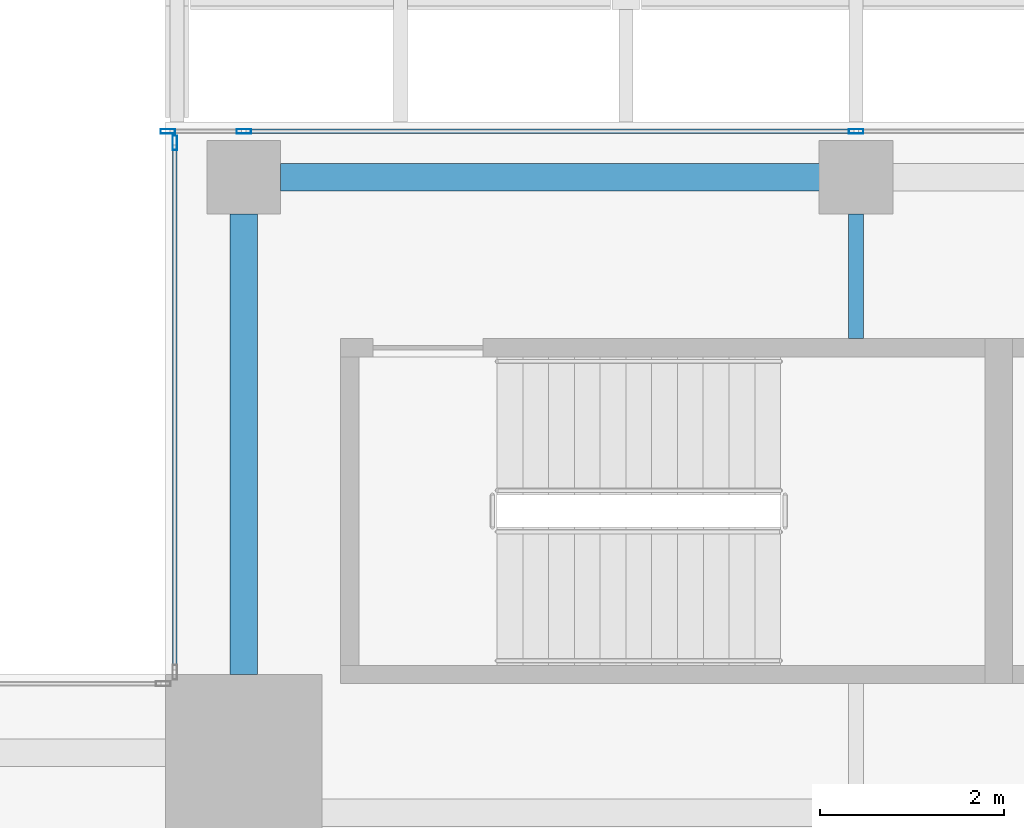
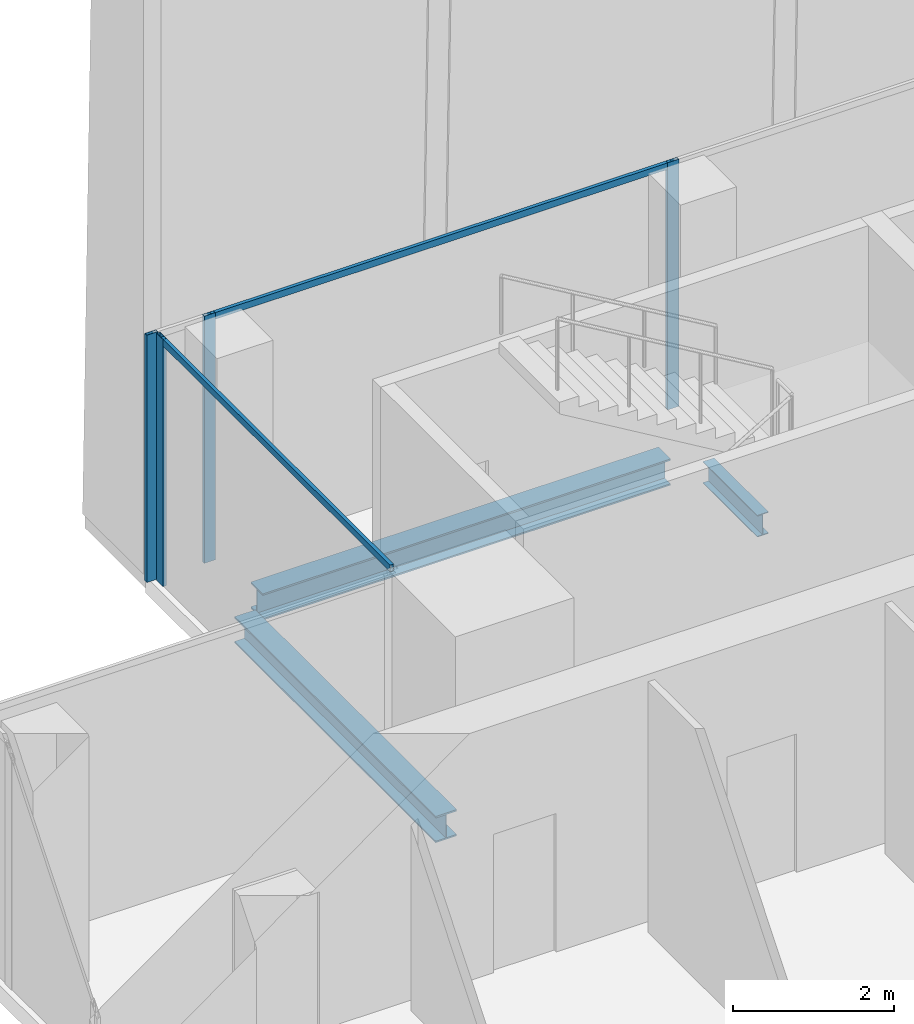
# One storey, part 14 of 32: 6 members, 3 beams, 2 elements without a shape of their own.
"""IFC4 building model written with IfcOpenShell, lengths in metres."""

import ifcopenshell
import ifcopenshell.guid

model = None  # the IFC model being written
_history = None  # IfcOwnerHistory: only IFC2X3 demands one
_inside = {}  # id of a spatial element -> (the spatial element, [elements in it])
_under = {}  # id of a project, library or spatial element -> (it, [spatial elements below it])
_declared = {}  # id of a project -> (the project, [libraries it declares])
_typed = {}  # id of a type object -> (the type object, [elements of that type])
_made_of = {}  # id of a material, layer set ... -> (it, [elements and type objects made of it])


def new_model(schema):
    """Start an empty IFC model of exactly this schema.

    Asked for "IFC4X3", IfcOpenShell would pick the latest addendum, in which some entities
    have other attributes; the version numbers below select the first issue.
    IFC2X3 requires an IfcOwnerHistory on every rooted entity: one is made here for all.
    """
    global model, _history
    if schema == "IFC4X3":
        model = ifcopenshell.file(schema_version=(4, 3, 0, 0))
    else:
        model = ifcopenshell.file(schema=schema)
    _inside.clear()
    _under.clear()
    _declared.clear()
    _typed.clear()
    _made_of.clear()
    _history = None
    if model.schema == "IFC2X3":
        org = make("IfcOrganization", Name="unknown")
        user = make(
            "IfcPersonAndOrganization",
            ThePerson=make("IfcPerson", FamilyName="unknown"),
            TheOrganization=org,
        )
        app = make(
            "IfcApplication",
            ApplicationDeveloper=org,
            Version="unknown",
            ApplicationFullName="unknown",
            ApplicationIdentifier="unknown",
        )
        _history = make(
            "IfcOwnerHistory",
            OwningUser=user,
            OwningApplication=app,
            ChangeAction="ADDED",
            CreationDate=0,
        )
    return model


def make(cls, **values):
    """One entity of the class cls with the attributes given. An attribute that is None is left unset."""
    return model.create_entity(
        cls, **{name: value for name, value in values.items() if value is not None}
    )


def rooted(cls, **values):
    """An entity with a GlobalId (a new one), such as an element, a storey or a relation."""
    return make(cls, GlobalId=ifcopenshell.guid.new(), OwnerHistory=_history, **values)


def si_unit(unit_type, name, prefix=None):
    """IfcSIUnit, for example si_unit("LENGTHUNIT", "METRE", prefix="MILLI")."""
    return make("IfcSIUnit", UnitType=unit_type, Prefix=prefix, Name=name)


def assignment(units):
    """IfcUnitAssignment: the units of a project."""
    return None if units is None else make("IfcUnitAssignment", Units=units)


def point(xyz):
    """IfcCartesianPoint."""
    return None if xyz is None else make("IfcCartesianPoint", Coordinates=xyz)


def direction(xyz):
    """IfcDirection."""
    return None if xyz is None else make("IfcDirection", DirectionRatios=xyz)


def frame(location, z_axis=None, x_axis=None):
    """IfcAxis2Placement3D, a coordinate frame: its origin and axes. An axis left out is left unset."""
    return make(
        "IfcAxis2Placement3D",
        Location=point(location),
        Axis=direction(z_axis),
        RefDirection=direction(x_axis),
    )


def frame_2d(location, x_axis=None):
    """IfcAxis2Placement2D, a coordinate frame in the plane: its origin and x axis."""
    return make(
        "IfcAxis2Placement2D", Location=point(location), RefDirection=direction(x_axis)
    )


def origin():
    """The frame at (0, 0, 0) with its axes left unset."""
    return frame((0.0, 0.0, 0.0))


def origin_2d():
    """The frame at (0, 0) in the plane with its x axis left unset."""
    return frame_2d((0.0, 0.0))


def place(relative_to, where):
    """IfcLocalPlacement: puts the frame where relative to a parent placement (None: the world)."""
    return make(
        "IfcLocalPlacement", PlacementRelTo=relative_to, RelativePlacement=where
    )


def context(
    kind, dimensions, precision=None, world=None, true_north=None, identifier=None
):
    """IfcGeometricRepresentationContext, for example the 3D "Model" context."""
    return make(
        "IfcGeometricRepresentationContext",
        ContextIdentifier=identifier,
        ContextType=kind,
        CoordinateSpaceDimension=dimensions,
        Precision=precision,
        WorldCoordinateSystem=world,
        TrueNorth=true_north,
    )


def subcontext(parent, identifier, kind, view, scale=None):
    """IfcGeometricRepresentationSubContext, for example "Body" below "Model"."""
    return make(
        "IfcGeometricRepresentationSubContext",
        ContextIdentifier=identifier,
        ContextType=kind,
        ParentContext=parent,
        TargetScale=scale,
        TargetView=view,
    )


def project(units=None, contexts=None):
    """IfcProject with its units and contexts."""
    return rooted(
        "IfcProject",
        Name="project",
        RepresentationContexts=contexts,
        UnitsInContext=assignment(units),
    )


def spatial(cls, under=None, at=None, **own):
    """A site, building, storey or space (cls), placed at a placement, below another one or the project."""
    s = rooted(cls, ObjectPlacement=at, **own)
    if under is not None:
        _under.setdefault(under.id(), (under, []))[1].append(s)
    return s


def profile(cls, at=None, kind="AREA", **sizes):
    """A parametric profile (cls). Its sizes go by their IFC names, for example OverallWidth=200.0."""
    return make(cls, ProfileType=kind, Position=at, **sizes)


def hollow_rectangle(**sizes):
    """IfcRectangleHollowProfileDef."""
    return profile("IfcRectangleHollowProfileDef", **sizes)


def i_section(**sizes):
    """IfcIShapeProfileDef."""
    return profile("IfcIShapeProfileDef", **sizes)


def extrude(swept, where, along, depth):
    """IfcExtrudedAreaSolid: the profile swept, set in the frame where, extruded along a direction by depth."""
    return make(
        "IfcExtrudedAreaSolid",
        SweptArea=swept,
        Position=where,
        ExtrudedDirection=direction(along),
        Depth=depth,
    )


def shape(context_of_items, identifier, shape_type, items):
    """IfcShapeRepresentation: the items that make up one representation, for example the "Body"."""
    return make(
        "IfcShapeRepresentation",
        ContextOfItems=context_of_items,
        RepresentationIdentifier=identifier,
        RepresentationType=shape_type,
        Items=items,
    )


def source(mapping_origin, context_of_items, identifier, shape_type, items):
    """IfcRepresentationMap: a shape defined once, which mapped items show again and again."""
    return make(
        "IfcRepresentationMap",
        MappingOrigin=mapping_origin,
        MappedRepresentation=shape(context_of_items, identifier, shape_type, items),
    )


def transform(
    local_origin,
    x_axis=None,
    y_axis=None,
    z_axis=None,
    scale=None,
    scale2=None,
    scale3=None,
    uniform=True,
):
    """IfcCartesianTransformationOperator3D, or its non-uniform kind. x_axis, y_axis, z_axis: its Axis1, 2, 3."""
    if uniform:
        return make(
            "IfcCartesianTransformationOperator3D",
            Axis1=direction(x_axis),
            Axis2=direction(y_axis),
            LocalOrigin=point(local_origin),
            Scale=scale,
            Axis3=direction(z_axis),
        )
    return make(
        "IfcCartesianTransformationOperator3DnonUniform",
        Axis1=direction(x_axis),
        Axis2=direction(y_axis),
        LocalOrigin=point(local_origin),
        Scale=scale,
        Axis3=direction(z_axis),
        Scale2=scale2,
        Scale3=scale3,
    )


def mapped(mapping_source, mapping_target):
    """IfcMappedItem: shows the shape of a source again, moved by a transform."""
    return make(
        "IfcMappedItem", MappingSource=mapping_source, MappingTarget=mapping_target
    )


def material(Name=None, Category=None):
    """IfcMaterial."""
    return make("IfcMaterial", Name=Name, Category=Category)


def material_profile(
    of_material, cross_section, Name=None, Category=None, Priority=None
):
    """IfcMaterialProfile: a cross section and its material."""
    return make(
        "IfcMaterialProfile",
        Name=Name,
        Material=of_material,
        Profile=cross_section,
        Priority=Priority,
        Category=Category,
    )


def profile_set(profiles, Name=None, composite=None):
    """IfcMaterialProfileSet."""
    return make(
        "IfcMaterialProfileSet",
        Name=Name,
        MaterialProfiles=profiles,
        CompositeProfile=composite,
    )


def made_of(thing, what):
    """Note that an element or type object is made of a material, layer set ...; save() writes the relation."""
    if what is not None:
        _made_of.setdefault(what.id(), (what, []))[1].append(thing)
    return thing


def type_object(cls, material=None, **own):
    """A type object (cls), such as IfcWallType, which elements share."""
    return made_of(rooted(cls, **own), material)


def element(
    cls,
    number,
    at=None,
    inside=None,
    cuts=None,
    type_object=None,
    material=None,
    context=None,
    identifier="Body",
    shape_type=None,
    held_by="IfcProductDefinitionShape",
    body=None,
    shapes=None,
    **own,
):
    """One element of the class cls, such as IfcWall. Its Tag is "e" and its number.

    at: its placement. inside: the storey or other place that contains it. cuts: it is an
    opening in that element (IfcRelVoidsElement). A single representation is given by context,
    identifier, shape_type and body (its items); several are given by shapes. held_by: the class
    of the entity that holds the representations. save() writes the other relations.
    """
    e = rooted(cls, Tag="e%d" % number, ObjectPlacement=at, **own)
    if body is not None:
        shapes = [shape(context, identifier, shape_type, body)]
    if shapes is not None:
        e.Representation = make(held_by, Representations=shapes)
    if inside is not None:
        _inside.setdefault(inside.id(), (inside, []))[1].append(e)
    if cuts is not None:
        rooted(
            "IfcRelVoidsElement", RelatingBuildingElement=cuts, RelatedOpeningElement=e
        )
    if type_object is not None:
        _typed.setdefault(type_object.id(), (type_object, []))[1].append(e)
    return made_of(e, material)


def aggregate(whole, parts):
    """IfcRelAggregates: a whole, such as a stair, and the parts it consists of."""
    return rooted("IfcRelAggregates", RelatingObject=whole, RelatedObjects=parts)


def save(model, path):
    """Write the relations noted so far, then the file.

    IfcRelAggregates (storeys below a building ...), IfcRelContainedInSpatialStructure (elements
    in a storey), IfcRelDefinesByType, IfcRelAssociatesMaterial and IfcRelDeclares: one each for
    every whole, place, type object, material and project.
    """
    for whole, parts in _under.values():
        aggregate(whole, parts)
    for where, things in _inside.values():
        rooted(
            "IfcRelContainedInSpatialStructure",
            RelatedElements=things,
            RelatingStructure=where,
        )
    for kind, things in _typed.values():
        rooted("IfcRelDefinesByType", RelatedObjects=things, RelatingType=kind)
    for what, things in _made_of.values():
        rooted("IfcRelAssociatesMaterial", RelatedObjects=things, RelatingMaterial=what)
    for by, libraries in _declared.values():
        rooted("IfcRelDeclares", RelatingContext=by, RelatedDefinitions=libraries)
    model.write(path)


model = new_model("IFC4")

# Units and contexts
model_context = context("Model", 3, precision=1e-05, world=origin(), true_north=direction((0.0, 1.0)))
body_context = subcontext(model_context, "Body", "Model", "MODEL_VIEW")
ifc_project = project(units=[si_unit("LENGTHUNIT", "METRE"), si_unit("AREAUNIT", "SQUARE_METRE"), si_unit("VOLUMEUNIT", "CUBIC_METRE"), si_unit("PLANEANGLEUNIT", "RADIAN"), si_unit("MASSUNIT", "GRAM", prefix="KILO")], contexts=[model_context])

# Site, building, storey
site_placement = place(None, origin())
site = spatial("IfcSite", under=ifc_project, at=site_placement, CompositionType="ELEMENT")
building_placement = place(site_placement, origin())
building = spatial("IfcBuilding", under=site, at=building_placement, Name="Khomas Fold Tower", CompositionType="ELEMENT")
storey_placement = place(building_placement, frame((0.0, 0.0, 318.199951171875)))
storey = spatial("IfcBuildingStorey", under=building, at=storey_placement, Name="L72", CompositionType="ELEMENT", Elevation=318.199951171875)

# Beams
ifc_material_1 = material(Name="Steel S355", Category="steel")
ifc_material_profile_1 = material_profile(ifc_material_1, i_section(OverallWidth=0.159912109375, OverallDepth=0.330078125, WebThickness=0.007568359375, FlangeThickness=0.011474609375, at=origin_2d()), Name="IPE 330")
ifc_profile_set_1 = profile_set([ifc_material_profile_1], Name="Steel S355")
beam_type_1 = type_object("IfcBeamType", Name="IPE 330 beam JB1", PredefinedType="BEAM", material=ifc_profile_set_1)
shared_shape_1 = source(origin(), body_context, "Body", "SweptSolid", [
    extrude(i_section(OverallWidth=0.159912109375, OverallDepth=0.330078125, WebThickness=0.007568359375, FlangeThickness=0.011474609375, at=origin_2d()), origin(), (0.0, 0.0, 1.0), 1.35009765625),
])
beam_1_placement = place(storey_placement, frame((19.5, 45.64990234375, -0.4150390625), z_axis=(0.0, 1.0, 0.0), x_axis=(-1.0, 0.0, 0.0)))
element("IfcBeam", 1, at=beam_1_placement, inside=storey, type_object=beam_type_1, Name="JB1", PredefinedType="BEAM", context=body_context, shape_type="MappedRepresentation", body=[
    mapped(shared_shape_1, transform((0.0, 0.0, 0.0))),
])
ifc_material_2 = material(Name="Steel S355", Category="steel")
ifc_material_profile_2 = material_profile(ifc_material_2, i_section(OverallWidth=0.300048828125, OverallDepth=0.39990234375, WebThickness=0.013427734375, FlangeThickness=0.02392578125, at=origin_2d()), Name="HE 400 B")
ifc_profile_set_2 = profile_set([ifc_material_profile_2], Name="Steel S355")
beam_type_2 = type_object("IfcBeamType", Name="HE 400 B spandrel SB5", PredefinedType="SPANDREL", material=ifc_profile_set_2)
shared_shape_2 = source(origin(), body_context, "Body", "SweptSolid", [
    extrude(i_section(OverallWidth=0.300048828125, OverallDepth=0.39990234375, WebThickness=0.013427734375, FlangeThickness=0.02392578125, at=origin_2d()), origin(), (0.0, 0.0, 1.0), 5.85009765625),
])
beam_2_placement = place(storey_placement, frame((13.25, 47.39990234375, -0.449951171875), z_axis=(1.0, 0.0, 0.0), x_axis=(0.0, 1.0, 0.0)))
element("IfcBeam", 2, at=beam_2_placement, inside=storey, type_object=beam_type_2, Name="SB5", PredefinedType="SPANDREL", context=body_context, shape_type="MappedRepresentation", body=[
    mapped(shared_shape_2, transform((0.0, 0.0, 0.0))),
])
shared_shape_3 = source(origin(), body_context, "Body", "SweptSolid", [
    extrude(i_section(OverallWidth=0.300048828125, OverallDepth=0.39990234375, WebThickness=0.013427734375, FlangeThickness=0.02392578125, at=origin_2d()), origin(), (0.0, 0.0, 1.0), 5.0),
])
beam_3_placement = place(storey_placement, frame((12.85009765625, 42.0, -0.449951171875), z_axis=(0.0, 1.0, 0.0), x_axis=(-1.0, 0.0, 0.0)))
element("IfcBeam", 3, at=beam_3_placement, inside=storey, type_object=beam_type_2, Name="SB5", PredefinedType="SPANDREL", context=body_context, shape_type="MappedRepresentation", body=[
    mapped(shared_shape_3, transform((0.0, 0.0, 0.0))),
])

# Curtain wall, members
ifc_material_3 = material(Name="Aluminium framed double glazing", Category="aluminium")
curtain_wall_type = type_object("IfcCurtainWallType", Name="SK-Unitised clear-glass wall, upper floors CW3", PredefinedType="NOTDEFINED", material=ifc_material_3)
curtain_wall_1_placement = place(storey_placement, origin())
curtain_wall_1 = element("IfcCurtainWall", 4, at=curtain_wall_1_placement, inside=storey, type_object=curtain_wall_type, Name="CW3 run L72 06-1", PredefinedType="NOTDEFINED")
ifc_material_4 = material(Name="Aluminium", Category="aluminium")
ifc_material_profile_3 = material_profile(ifc_material_4, hollow_rectangle(XDim=0.050048828125, YDim=0.159912109375, WallThickness=0.00390625, at=origin_2d()), Name="SK-Unitised clear-glass wall, upper floors mullion CW3-M")
ifc_profile_set_3 = profile_set([ifc_material_profile_3], Name="Aluminium")
member_type_1 = type_object("IfcMemberType", Name="SK-Unitised clear-glass wall, upper floors mullion CW3-M", PredefinedType="MULLION", material=ifc_profile_set_3)
shared_shape_4 = source(origin(), body_context, "Body", "SweptSolid", [
    extrude(hollow_rectangle(XDim=0.050048828125, YDim=0.159912109375, WallThickness=0.00390625, at=origin_2d()), origin(), (0.0, 0.0, 1.0), 3.75),
])
member_1_placement = place(storey_placement, frame((19.5, 47.89990234375, 0.0), z_axis=(0.0, 0.0, 1.0), x_axis=(0.0, -1.0, 0.0)))
member_1 = element("IfcMember", 5, at=member_1_placement, type_object=member_type_1, Name="CW3 mullion 4", PredefinedType="MULLION", context=body_context, shape_type="MappedRepresentation", body=[
    mapped(shared_shape_4, transform((0.0, 0.0, 0.0))),
])
member_2_placement = place(storey_placement, frame((12.85009765625, 47.89990234375, 0.0), z_axis=(0.0, 0.0, 1.0), x_axis=(0.0, -1.0, 0.0)))
member_2 = element("IfcMember", 6, at=member_2_placement, type_object=member_type_1, Name="CW3 mullion 5", PredefinedType="MULLION", context=body_context, shape_type="MappedRepresentation", body=[
    mapped(shared_shape_4, transform((0.0, 0.0, 0.0))),
])
member_3_placement = place(storey_placement, frame((12.02490234375, 47.89990234375, 0.0), z_axis=(0.0, 0.0, 1.0), x_axis=(0.0, -1.0, 0.0)))
member_3 = element("IfcMember", 7, at=member_3_placement, type_object=member_type_1, Name="CW3 mullion 6", PredefinedType="MULLION", context=body_context, shape_type="MappedRepresentation", body=[
    mapped(shared_shape_4, transform((0.0, 0.0, 0.0))),
])

# Curtain wall, member
curtain_wall_2_placement = place(storey_placement, origin())
curtain_wall_2 = element("IfcCurtainWall", 8, at=curtain_wall_2_placement, inside=storey, type_object=curtain_wall_type, Name="CW3 corner return L72 07", PredefinedType="NOTDEFINED")
member_4_placement = place(storey_placement, frame((12.10009765625, 47.77490234375, 0.0), z_axis=(0.0, 0.0, 1.0), x_axis=(1.0, 0.0, 0.0)))
member_4 = element("IfcMember", 9, at=member_4_placement, type_object=member_type_1, Name="CW3 mullion 1", PredefinedType="MULLION", context=body_context, shape_type="MappedRepresentation", body=[
    mapped(shared_shape_4, transform((0.0, 0.0, 0.0))),
])

# Member
ifc_material_5 = material(Name="Aluminium", Category="aluminium")
ifc_material_profile_4 = material_profile(ifc_material_5, hollow_rectangle(XDim=0.050048828125, YDim=0.10009765625, WallThickness=0.00390625, at=origin_2d()), Name="SK-Unitised clear-glass wall, upper floors transom CW3-T")
ifc_profile_set_4 = profile_set([ifc_material_profile_4], Name="Aluminium")
member_type_2 = type_object("IfcMemberType", Name="SK-Unitised clear-glass wall, upper floors transom CW3-T", PredefinedType="USERDEFINED", material=ifc_profile_set_4)
shared_shape_5 = source(origin(), body_context, "Body", "SweptSolid", [
    extrude(hollow_rectangle(XDim=0.050048828125, YDim=0.10009765625, WallThickness=0.00390625, at=origin_2d()), origin(), (0.0, 0.0, 1.0), 6.60009765625),
])
member_5_placement = place(storey_placement, frame((19.47509765625, 47.89990234375, 3.699951171875), z_axis=(-1.0, 0.0, 0.0), x_axis=(0.0, -1.0, 0.0)))
member_5 = element("IfcMember", 10, at=member_5_placement, type_object=member_type_2, Name="CW3 transom 4", ObjectType="TRANSOM", PredefinedType="USERDEFINED", context=body_context, shape_type="MappedRepresentation", body=[
    mapped(shared_shape_5, transform((0.0, 0.0, 0.0))),
])

aggregate(curtain_wall_1, [member_1, member_2, member_3, member_5])

shared_shape_6 = source(origin(), body_context, "Body", "SweptSolid", [
    extrude(hollow_rectangle(XDim=0.050048828125, YDim=0.10009765625, WallThickness=0.00390625, at=origin_2d()), origin(), (0.0, 0.0, 1.0), 5.699951171875),
])
member_6_placement = place(storey_placement, frame((12.10009765625, 47.75, 3.699951171875), z_axis=(0.0, -1.0, 0.0), x_axis=(1.0, 0.0, 0.0)))
member_6 = element("IfcMember", 11, at=member_6_placement, type_object=member_type_2, Name="CW3 transom 1", ObjectType="TRANSOM", PredefinedType="USERDEFINED", context=body_context, shape_type="MappedRepresentation", body=[
    mapped(shared_shape_6, transform((0.0, 0.0, 0.0))),
])

aggregate(curtain_wall_2, [member_4, member_6])

save(model, "model.ifc")
